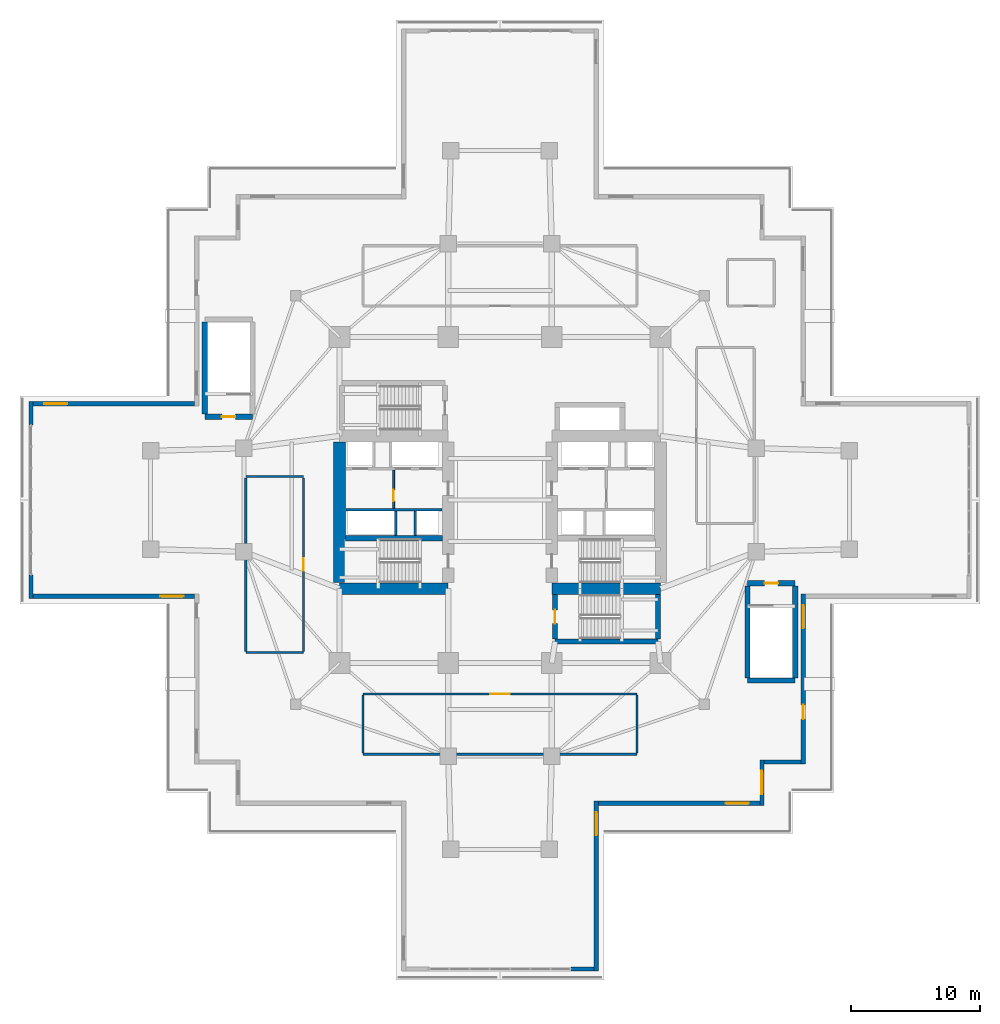
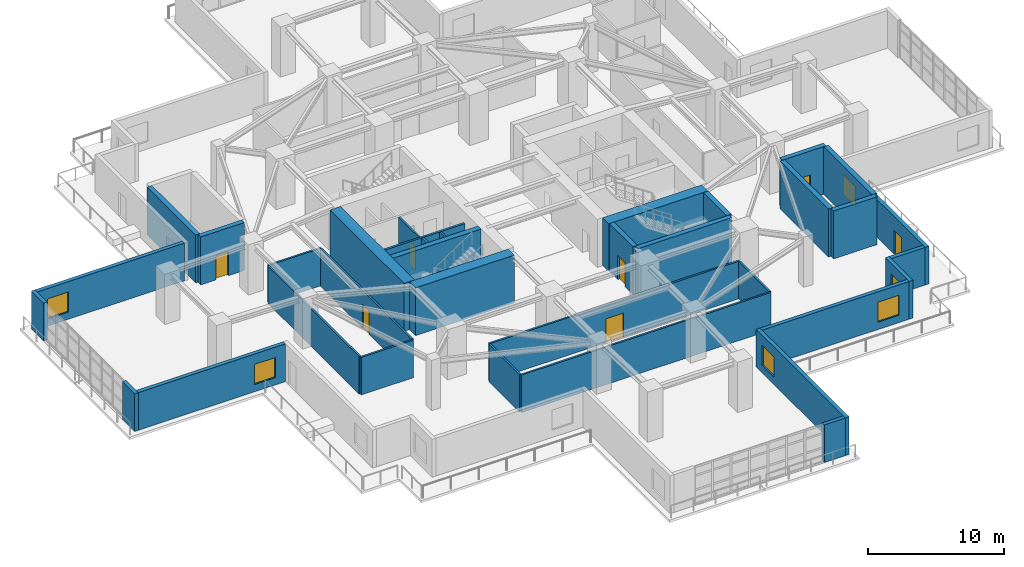
# One storey, part 15 of 24: 35 walls, 7 doors, 6 windows, 13 openings.
"""IFC4 building model written with IfcOpenShell, lengths in metres."""

from ifc_helpers import new_model, si_unit, direction, frame, frame_2d, origin, place, context, subcontext, project, spatial, rectangle, extrude, material, layer, layer_set, type_object, element, fill, save


model = new_model("IFC4")

# Units and contexts
model_context = context("Model", 3, precision=1e-05, world=origin(), true_north=direction((0.0, 1.0)))
body_context = subcontext(model_context, "Body", "Model", "MODEL_VIEW")
ifc_project = project(units=[si_unit("LENGTHUNIT", "METRE"), si_unit("AREAUNIT", "SQUARE_METRE"), si_unit("VOLUMEUNIT", "CUBIC_METRE"), si_unit("PLANEANGLEUNIT", "RADIAN"), si_unit("MASSUNIT", "GRAM", prefix="KILO")], contexts=[model_context])

# Site, building, storey
site_placement = place(None, origin())
site = spatial("IfcSite", under=ifc_project, at=site_placement, CompositionType="ELEMENT")
building_placement = place(site_placement, origin())
building = spatial("IfcBuilding", under=site, at=building_placement, Name="Qingluan Cross Belvedere", CompositionType="ELEMENT")
storey_placement = place(building_placement, frame((0.0, 0.0, 19.199951171875)))
storey = spatial("IfcBuildingStorey", under=building, at=storey_placement, Name="L05", CompositionType="ELEMENT", Elevation=19.199951171875)

# Walls
ifc_material_1 = material(Name="Concrete C50", Category="concrete")
ifc_layer_1 = layer(ifc_material_1, 0.449951171875, Name="CoreShearWall_450")
ifc_layer_set_1 = layer_set([ifc_layer_1], Name="Concrete C50")
wall_type_1 = type_object("IfcWallType", Name="CoreShearWall_450", PredefinedType="SHEAR", material=ifc_layer_set_1)
wall_1_placement = place(storey_placement, frame((-11.945068359375, -2.9599609375, 0.0), z_axis=(0.0, 0.0, 1.0), x_axis=(1.0, 0.0, 0.0)))
element("IfcWall", 1, at=wall_1_placement, inside=storey, type_object=wall_type_1, Name="Split core W shear wall L05-M", PredefinedType="SHEAR", context=body_context, shape_type="SweptSolid", body=[
    extrude(rectangle(XDim=7.489990234375, YDim=0.449951171875, at=frame_2d((3.7451171875, 0.0))), origin(), (0.0, 0.0, 1.0), 4.300048828125),
])
wall_2_placement = place(storey_placement, frame((4.260009765625, -10.93994140625, 0.0), z_axis=(0.0, 0.0, 1.0), x_axis=(1.0, 0.0, 0.0)))
element("IfcWall", 2, at=wall_2_placement, inside=storey, type_object=wall_type_1, Name="Stair ST4 structural wall S L05", PredefinedType="SHEAR", context=body_context, shape_type="SweptSolid", body=[
    extrude(rectangle(XDim=7.9599609375, YDim=0.39990234375, at=frame_2d((3.97998046875, 0.0))), origin(), (0.0, 0.0, 1.0), 4.300048828125),
])

# Wall, opening, door
wall_3_placement = place(storey_placement, frame((4.260009765625, -10.735107421875, 0.0), z_axis=(0.0, 0.0, 1.0), x_axis=(0.0, 1.0, 0.0)))
wall_3 = element("IfcWall", 3, at=wall_3_placement, inside=storey, type_object=wall_type_1, Name="Stair ST4 structural wall W L05", PredefinedType="SHEAR", context=body_context, shape_type="SweptSolid", body=[
    extrude(rectangle(XDim=3.43017578125, YDim=0.39990234375, at=frame_2d((1.715087890625, 0.0))), origin(), (0.0, 0.0, 1.0), 4.300048828125),
])
opening_1_placement = place(wall_3_placement, frame((1.18505859375, 0.0, 0.0)))
opening_1 = element("IfcOpeningElement", 4, at=opening_1_placement, cuts=wall_3, Name="Opening FD-B11", PredefinedType="OPENING", context=body_context, shape_type="SweptSolid", body=[
    extrude(rectangle(XDim=1.050048828125, YDim=2.14990234375, at=frame_2d((0.52490234375, 1.074951171875))), frame((0.0, 0.2099609375, 0.0), z_axis=(0.0, -1.0, 0.0), x_axis=(1.0, 0.0, 0.0)), (0.0, 0.0, 1.0), 0.419921875),
])
ifc_material_2 = material(Name="Steel Class B smoke-seal fire door", Category="steel")
door_type_1 = type_object("IfcDoorType", Name="StairLobbyFireDoor_FDB", OperationType="NOTDEFINED", PredefinedType="DOOR", material=ifc_material_2)
door_1_placement = place(opening_1_placement, origin())
door_1 = element("IfcDoor", 5, at=door_1_placement, inside=storey, type_object=door_type_1, Name="Smoke-proof stair ST4 fire door L05", OperationType="SINGLE_SWING_LEFT", OverallHeight=2.14990234375, OverallWidth=1.050048828125, PredefinedType="DOOR", context=body_context, shape_type="SweptSolid", body=[
    extrude(rectangle(XDim=1.050048828125, YDim=2.14990234375, at=frame_2d((0.52490234375, 1.074951171875))), frame((0.0, 0.02490234375, 0.0), z_axis=(0.0, -1.0, 0.0), x_axis=(1.0, 0.0, 0.0)), (0.0, 0.0, 1.0), 0.050048828125),
])
fill(opening_1, door_1)

# Wall
wall_4_placement = place(storey_placement, frame((12.219970703125, -10.735107421875, 0.0), z_axis=(0.0, 0.0, 1.0), x_axis=(0.0, 1.0, 0.0)))
element("IfcWall", 6, at=wall_4_placement, inside=storey, type_object=wall_type_1, Name="Stair ST4 structural wall E L05", PredefinedType="SHEAR", context=body_context, shape_type="SweptSolid", body=[
    extrude(rectangle(XDim=3.43017578125, YDim=0.39990234375, at=frame_2d((1.715087890625, 0.0))), origin(), (0.0, 0.0, 1.0), 4.300048828125),
])

# Wall, opening, door
wall_5_placement = place(storey_placement, frame((-22.820068359375, 6.429931640625, 0.0), z_axis=(0.0, 0.0, 1.0), x_axis=(1.0, 0.0, 0.0)))
wall_5 = element("IfcWall", 7, at=wall_5_placement, inside=storey, type_object=wall_type_1, Name="Stair ST5 structural wall S L05", PredefinedType="SHEAR", context=body_context, shape_type="SweptSolid", body=[
    extrude(rectangle(XDim=3.699951171875, YDim=0.39990234375, at=frame_2d((1.85009765625, 0.0))), origin(), (0.0, 0.0, 1.0), 4.300048828125),
])
opening_2_placement = place(wall_5_placement, frame((1.320068359375, 0.0, 0.0)))
opening_2 = element("IfcOpeningElement", 8, at=opening_2_placement, cuts=wall_5, Name="Opening FD-B11", PredefinedType="OPENING", context=body_context, shape_type="SweptSolid", body=[
    extrude(rectangle(XDim=1.050048828125, YDim=2.14990234375, at=frame_2d((0.52490234375, 1.074951171875))), frame((0.0, 0.2099609375, 0.0), z_axis=(0.0, -1.0, 0.0), x_axis=(1.0, 0.0, 0.0)), (0.0, 0.0, 1.0), 0.419921875),
])
door_2_placement = place(opening_2_placement, origin())
door_2 = element("IfcDoor", 9, at=door_2_placement, inside=storey, type_object=door_type_1, Name="Podium stair ST5 smoke-proof fire door L05", OperationType="SINGLE_SWING_RIGHT", OverallHeight=2.14990234375, OverallWidth=1.050048828125, PredefinedType="DOOR", context=body_context, shape_type="SweptSolid", body=[
    extrude(rectangle(XDim=1.050048828125, YDim=2.14990234375, at=frame_2d((0.52490234375, 1.074951171875))), frame((0.0, 0.02490234375, 0.0), z_axis=(0.0, -1.0, 0.0), x_axis=(1.0, 0.0, 0.0)), (0.0, 0.0, 1.0), 0.050048828125),
])
fill(opening_2, door_2)

# Wall
wall_6_placement = place(storey_placement, frame((-22.820068359375, 6.635009765625, 0.0), z_axis=(0.0, 0.0, 1.0), x_axis=(0.0, 1.0, 0.0)))
element("IfcWall", 10, at=wall_6_placement, inside=storey, type_object=wall_type_1, Name="Stair ST5 structural wall W L05", PredefinedType="SHEAR", context=body_context, shape_type="SweptSolid", body=[
    extrude(rectangle(XDim=7.110107421875, YDim=0.39990234375, at=frame_2d((3.55517578125, 0.0))), origin(), (0.0, 0.0, 1.0), 4.300048828125),
])

# Wall, opening, door
wall_7_placement = place(storey_placement, frame((19.1201171875, -6.429931640625, 0.0), z_axis=(0.0, 0.0, 1.0), x_axis=(1.0, 0.0, 0.0)))
wall_7 = element("IfcWall", 11, at=wall_7_placement, inside=storey, type_object=wall_type_1, Name="Stair ST6 structural wall N L05", PredefinedType="SHEAR", context=body_context, shape_type="SweptSolid", body=[
    extrude(rectangle(XDim=3.699951171875, YDim=0.39990234375, at=frame_2d((1.85009765625, 0.0))), origin(), (0.0, 0.0, 1.0), 4.300048828125),
])
opening_3_placement = place(wall_7_placement, frame((1.330078125, 0.0, 0.0)))
opening_3 = element("IfcOpeningElement", 12, at=opening_3_placement, cuts=wall_7, Name="Opening FD-B11", PredefinedType="OPENING", context=body_context, shape_type="SweptSolid", body=[
    extrude(rectangle(XDim=1.050048828125, YDim=2.14990234375, at=frame_2d((0.52490234375, 1.074951171875))), frame((0.0, 0.2099609375, 0.0), z_axis=(0.0, -1.0, 0.0), x_axis=(1.0, 0.0, 0.0)), (0.0, 0.0, 1.0), 0.419921875),
])
door_3_placement = place(opening_3_placement, origin())
door_3 = element("IfcDoor", 13, at=door_3_placement, inside=storey, type_object=door_type_1, Name="Podium stair ST6 smoke-proof fire door L05", OperationType="SINGLE_SWING_LEFT", OverallHeight=2.14990234375, OverallWidth=1.050048828125, PredefinedType="DOOR", context=body_context, shape_type="SweptSolid", body=[
    extrude(rectangle(XDim=1.050048828125, YDim=2.14990234375, at=frame_2d((0.52490234375, 1.074951171875))), frame((0.0, 0.02490234375, 0.0), z_axis=(0.0, -1.0, 0.0), x_axis=(1.0, 0.0, 0.0)), (0.0, 0.0, 1.0), 0.050048828125),
])
fill(opening_3, door_3)

# Walls
wall_8_placement = place(storey_placement, frame((19.1201171875, -13.949951171875, 0.0), z_axis=(0.0, 0.0, 1.0), x_axis=(1.0, 0.0, 0.0)))
element("IfcWall", 14, at=wall_8_placement, inside=storey, type_object=wall_type_1, Name="Stair ST6 structural wall S L05", PredefinedType="SHEAR", context=body_context, shape_type="SweptSolid", body=[
    extrude(rectangle(XDim=3.699951171875, YDim=0.39990234375, at=frame_2d((1.85009765625, 0.0))), origin(), (0.0, 0.0, 1.0), 4.300048828125),
])
for number, where, z_axis, x_axis, name in (
    (15, (19.1201171875, -13.7451171875, 0.0), (0.0, 0.0, 1.0), (0.0, 1.0, 0.0), "Stair ST6 structural wall W L05"),
    (16, (22.820068359375, -13.7451171875, 0.0), (0.0, 0.0, 1.0), (0.0, 1.0, 0.0), "Stair ST6 structural wall E L05"),
):
    element("IfcWall", number, at=place(storey_placement, frame(where, z_axis=z_axis, x_axis=x_axis)), inside=storey, type_object=wall_type_1, Name=name, PredefinedType="SHEAR", context=body_context, shape_type="SweptSolid", body=[
        extrude(rectangle(XDim=7.110107421875, YDim=0.39990234375, at=frame_2d((3.55517578125, 0.0))), origin(), (0.0, 0.0, 1.0), 4.300048828125),
    ])
ifc_material_3 = material(Name="Concrete C70", Category="concrete")
ifc_layer_2 = layer(ifc_material_3, 0.89990234375, Name="CoreShearWall_900")
ifc_layer_set_2 = layer_set([ifc_layer_2], Name="Concrete C70")
wall_type_2 = type_object("IfcWallType", Name="CoreShearWall_900", PredefinedType="SHEAR", material=ifc_layer_set_2)
wall_9_placement = place(storey_placement, frame((-12.39990234375, -6.85009765625, 0.0), z_axis=(0.0, 0.0, 1.0), x_axis=(1.0, 0.0, 0.0)))
element("IfcWall", 17, at=wall_9_placement, inside=storey, type_object=wall_type_2, Name="Split core W shear wall L05-S", PredefinedType="SHEAR", context=body_context, shape_type="SweptSolid", body=[
    extrude(rectangle(XDim=8.39990234375, YDim=0.89990234375, at=frame_2d((4.199951171875, 0.0))), origin(), (0.0, 0.0, 1.0), 4.300048828125),
])
wall_10_placement = place(storey_placement, frame((-12.39990234375, -6.39501953125, 0.0), z_axis=(0.0, 0.0, 1.0), x_axis=(0.0, 1.0, 0.0)))
element("IfcWall", 18, at=wall_10_placement, inside=storey, type_object=wall_type_2, Name="Split core W shear wall L05-W", PredefinedType="SHEAR", context=body_context, shape_type="SweptSolid", body=[
    extrude(rectangle(XDim=10.89013671875, YDim=0.89990234375, at=frame_2d((5.445068359375, 0.0))), origin(), (0.0, 0.0, 1.0), 4.300048828125),
])
wall_11_placement = place(storey_placement, frame((4.0, -6.85009765625, 0.0), z_axis=(0.0, 0.0, 1.0), x_axis=(1.0, 0.0, 0.0)))
element("IfcWall", 19, at=wall_11_placement, inside=storey, type_object=wall_type_2, Name="Split core E shear wall L05-S", PredefinedType="SHEAR", context=body_context, shape_type="SweptSolid", body=[
    extrude(rectangle(XDim=8.39990234375, YDim=0.89990234375, at=frame_2d((4.199951171875, 0.0))), origin(), (0.0, 0.0, 1.0), 4.300048828125),
])
ifc_material_4 = material(Name="Gypsum plasterboard on steel stud acoustic partition", Category="steel")
ifc_layer_3 = layer(ifc_material_4, 0.159912109375, Name="CorridorPartition_160")
ifc_layer_set_3 = layer_set([ifc_layer_3], Name="Gypsum plasterboard on steel stud acoustic partition")
wall_type_3 = type_object("IfcWallType", Name="CorridorPartition_160", PredefinedType="PARTITIONING", material=ifc_layer_set_3)
wall_12_placement = place(storey_placement, frame((-10.60009765625, -19.64990234375, 0.0), z_axis=(0.0, 0.0, 1.0), x_axis=(1.0, 0.0, 0.0)))
element("IfcWall", 20, at=wall_12_placement, inside=storey, type_object=wall_type_3, Name="Partition L05:pod_s:S", PredefinedType="PARTITIONING", context=body_context, shape_type="SweptSolid", body=[
    extrude(rectangle(XDim=21.2001953125, YDim=0.159912109375, at=frame_2d((10.60009765625, 0.0))), origin(), (0.0, 0.0, 1.0), 3.3701171875),
])

# Wall, opening, door
wall_13_placement = place(storey_placement, frame((-10.60009765625, -15.0, 0.0), z_axis=(0.0, 0.0, 1.0), x_axis=(1.0, 0.0, 0.0)))
wall_13 = element("IfcWall", 21, at=wall_13_placement, inside=storey, type_object=wall_type_3, Name="Partition L05:pod_s:N", PredefinedType="PARTITIONING", context=body_context, shape_type="SweptSolid", body=[
    extrude(rectangle(XDim=21.2001953125, YDim=0.159912109375, at=frame_2d((10.60009765625, 0.0))), origin(), (0.0, 0.0, 1.0), 3.3701171875),
])
opening_4_placement = place(wall_13_placement, frame((9.85009765625, 0.0, 0.0)))
opening_4 = element("IfcOpeningElement", 22, at=opening_4_placement, cuts=wall_13, Name="Opening FD-A15", PredefinedType="OPENING", context=body_context, shape_type="SweptSolid", body=[
    extrude(rectangle(XDim=1.5, YDim=2.14990234375, at=frame_2d((0.75, 1.074951171875))), frame((0.0, 0.08984375, 0.0), z_axis=(0.0, -1.0, 0.0), x_axis=(1.0, 0.0, 0.0)), (0.0, 0.0, 1.0), 0.179931640625),
])
ifc_material_5 = material(Name="Insulated steel Class A double fire door", Category="steel")
door_type_2 = type_object("IfcDoorType", Name="PlantDoubleFireDoor_FDA", OperationType="DOUBLE_DOOR_SINGLE_SWING", PredefinedType="DOOR", material=ifc_material_5)
door_4_placement = place(opening_4_placement, origin())
door_4 = element("IfcDoor", 23, at=door_4_placement, inside=storey, type_object=door_type_2, Name="Wellness spa treatment suite South L05 door", OperationType="DOUBLE_DOOR_SINGLE_SWING", OverallHeight=2.14990234375, OverallWidth=1.5, PredefinedType="DOOR", context=body_context, shape_type="SweptSolid", body=[
    extrude(rectangle(XDim=1.5, YDim=2.14990234375, at=frame_2d((0.75, 1.074951171875))), frame((0.0, 0.02490234375, 0.0), z_axis=(0.0, -1.0, 0.0), x_axis=(1.0, 0.0, 0.0)), (0.0, 0.0, 1.0), 0.050048828125),
])
fill(opening_4, door_4)

# Walls
for number, where, z_axis, x_axis, name in (
    (24, (-10.60009765625, -19.56494140625, 0.0), (0.0, 0.0, 1.0), (0.0, 1.0, 0.0), "Partition L05:pod_s:W"),
    (25, (10.60009765625, -19.56494140625, 0.0), (0.0, 0.0, 1.0), (0.0, 1.0, 0.0), "Partition L05:pod_s:E"),
):
    element("IfcWall", number, at=place(storey_placement, frame(where, z_axis=z_axis, x_axis=x_axis)), inside=storey, type_object=wall_type_3, Name=name, PredefinedType="PARTITIONING", context=body_context, shape_type="SweptSolid", body=[
        extrude(rectangle(XDim=4.47998046875, YDim=0.159912109375, at=frame_2d((2.239990234375, 0.0))), origin(), (0.0, 0.0, 1.0), 3.3701171875),
    ])
for number, where, z_axis, x_axis, name in (
    (26, (-19.64990234375, -11.800048828125, 0.0), (0.0, 0.0, 1.0), (1.0, 0.0, 0.0), "Partition L05:pod_w:S"),
    (27, (-19.64990234375, 1.800048828125, 0.0), (0.0, 0.0, 1.0), (1.0, 0.0, 0.0), "Partition L05:pod_w:N"),
):
    element("IfcWall", number, at=place(storey_placement, frame(where, z_axis=z_axis, x_axis=x_axis)), inside=storey, type_object=wall_type_3, Name=name, PredefinedType="PARTITIONING", context=body_context, shape_type="SweptSolid", body=[
        extrude(rectangle(XDim=4.449951171875, YDim=0.159912109375, at=frame_2d((2.22509765625, 0.0))), origin(), (0.0, 0.0, 1.0), 3.3701171875),
    ])
wall_14_placement = place(storey_placement, frame((-19.64990234375, -11.715087890625, 0.0), z_axis=(0.0, 0.0, 1.0), x_axis=(0.0, 1.0, 0.0)))
element("IfcWall", 28, at=wall_14_placement, inside=storey, type_object=wall_type_3, Name="Partition L05:pod_w:W", PredefinedType="PARTITIONING", context=body_context, shape_type="SweptSolid", body=[
    extrude(rectangle(XDim=13.43017578125, YDim=0.159912109375, at=frame_2d((6.715087890625, 0.0))), origin(), (0.0, 0.0, 1.0), 3.3701171875),
])

# Wall, opening, door
wall_15_placement = place(storey_placement, frame((-15.199951171875, -11.715087890625, 0.0), z_axis=(0.0, 0.0, 1.0), x_axis=(0.0, 1.0, 0.0)))
wall_15 = element("IfcWall", 29, at=wall_15_placement, inside=storey, type_object=wall_type_3, Name="Partition L05:pod_w:E", PredefinedType="PARTITIONING", context=body_context, shape_type="SweptSolid", body=[
    extrude(rectangle(XDim=13.43017578125, YDim=0.159912109375, at=frame_2d((6.715087890625, 0.0))), origin(), (0.0, 0.0, 1.0), 3.3701171875),
])
opening_5_placement = place(wall_15_placement, frame((6.235107421875, 0.0, 0.0)))
opening_5 = element("IfcOpeningElement", 30, at=opening_5_placement, cuts=wall_15, Name="Opening GD-10", PredefinedType="OPENING", context=body_context, shape_type="SweptSolid", body=[
    extrude(rectangle(XDim=0.9599609375, YDim=2.14990234375, at=frame_2d((0.47998046875, 1.074951171875))), frame((0.0, 0.08984375, 0.0), z_axis=(0.0, -1.0, 0.0), x_axis=(1.0, 0.0, 0.0)), (0.0, 0.0, 1.0), 0.179931640625),
])
ifc_material_6 = material(Name="Timber oak fire-rated acoustic guestroom door", Category="wood")
door_type_3 = type_object("IfcDoorType", Name="GuestEntryDoor_FD60", OperationType="NOTDEFINED", PredefinedType="DOOR", material=ifc_material_6)
door_5_placement = place(opening_5_placement, origin())
door_5 = element("IfcDoor", 31, at=door_5_placement, inside=storey, type_object=door_type_3, Name="Spa relaxation lounge West L05 door", OperationType="SINGLE_SWING_LEFT", OverallHeight=2.14990234375, OverallWidth=0.9599609375, PredefinedType="DOOR", context=body_context, shape_type="SweptSolid", body=[
    extrude(rectangle(XDim=0.9599609375, YDim=2.14990234375, at=frame_2d((0.47998046875, 1.074951171875))), frame((0.0, 0.02490234375, 0.0), z_axis=(0.0, -1.0, 0.0), x_axis=(1.0, 0.0, 0.0)), (0.0, 0.0, 1.0), 0.050048828125),
])
fill(opening_5, door_5)

# Wall, opening, window
ifc_material_7 = material(Name="Precast concrete C45", Category="concrete")
ifc_layer_4 = layer(ifc_material_7, 0.320068359375, Name="PrecastPodiumWall_320")
ifc_layer_set_4 = layer_set([ifc_layer_4], Name="Precast concrete C45")
wall_type_4 = type_object("IfcWallType", Name="PrecastPodiumWall_320", PredefinedType="STANDARD", material=ifc_layer_set_4)
wall_16_placement = place(storey_placement, frame((20.080078125, -23.43994140625, 0.0), z_axis=(0.0, 0.0, 1.0), x_axis=(-1.0, 0.0, 0.0)))
wall_16 = element("IfcWall", 32, at=wall_16_placement, inside=storey, type_object=wall_type_4, Name="Podium precast facade wall L05-S1", PredefinedType="STANDARD", context=body_context, shape_type="SweptSolid", body=[
    extrude(rectangle(XDim=12.47998046875, YDim=0.320068359375, at=frame_2d((6.239990234375, 0.0))), origin(), (0.0, 0.0, 1.0), 3.380126953125),
])
opening_6_placement = place(wall_16_placement, frame((0.85009765625, 0.0, 0.64990234375)))
opening_6 = element("IfcOpeningElement", 33, at=opening_6_placement, cuts=wall_16, Name="Opening W-06", PredefinedType="OPENING", context=body_context, shape_type="SweptSolid", body=[
    extrude(rectangle(XDim=1.800048828125, YDim=1.800048828125, at=frame_2d((0.89990234375, 0.89990234375))), frame((0.0, 0.169921875, 0.0), z_axis=(0.0, -1.0, 0.0), x_axis=(1.0, 0.0, 0.0)), (0.0, 0.0, 1.0), 0.340087890625),
])
ifc_material_8 = material(Name="Thermally broken triple Low-E glass in aluminium frame", Category="aluminium")
window_type = type_object("IfcWindowType", Name="PodiumGalleryWin_1800x1800", PartitioningType="SINGLE_PANEL", PredefinedType="WINDOW", material=ifc_material_8)
window_1_placement = place(opening_6_placement, origin())
window_1 = element("IfcWindow", 34, at=window_1_placement, inside=storey, type_object=window_type, Name="Podium gallery window L05-S1", OverallHeight=1.800048828125, OverallWidth=1.800048828125, PartitioningType="SINGLE_PANEL", PredefinedType="WINDOW", context=body_context, shape_type="SweptSolid", body=[
    extrude(rectangle(XDim=1.800048828125, YDim=1.800048828125, at=frame_2d((0.89990234375, 0.89990234375))), frame((0.0, 0.030029296875, 0.0), z_axis=(0.0, -1.0, 0.0), x_axis=(1.0, 0.0, 0.0)), (0.0, 0.0, 1.0), 0.06005859375),
])
fill(opening_6, window_1)

wall_17_placement = place(storey_placement, frame((7.43994140625, -23.280029296875, 0.0), z_axis=(0.0, 0.0, 1.0), x_axis=(0.0, -1.0, 0.0)))
wall_17 = element("IfcWall", 35, at=wall_17_placement, inside=storey, type_object=wall_type_4, Name="Podium precast facade wall L05-S2", PredefinedType="STANDARD", context=body_context, shape_type="SweptSolid", body=[
    extrude(rectangle(XDim=13.119873046875, YDim=0.320068359375, at=frame_2d((6.56005859375, 0.0))), origin(), (0.0, 0.0, 1.0), 3.380126953125),
])
opening_7_placement = place(wall_17_placement, frame((0.85009765625, 0.0, 0.64990234375)))
opening_7 = element("IfcOpeningElement", 36, at=opening_7_placement, cuts=wall_17, Name="Opening W-06", PredefinedType="OPENING", context=body_context, shape_type="SweptSolid", body=[
    extrude(rectangle(XDim=1.800048828125, YDim=1.800048828125, at=frame_2d((0.89990234375, 0.89990234375))), frame((0.0, 0.169921875, 0.0), z_axis=(0.0, -1.0, 0.0), x_axis=(1.0, 0.0, 0.0)), (0.0, 0.0, 1.0), 0.340087890625),
])
window_2_placement = place(opening_7_placement, origin())
window_2 = element("IfcWindow", 37, at=window_2_placement, inside=storey, type_object=window_type, Name="Podium gallery window L05-S2", OverallHeight=1.800048828125, OverallWidth=1.800048828125, PartitioningType="SINGLE_PANEL", PredefinedType="WINDOW", context=body_context, shape_type="SweptSolid", body=[
    extrude(rectangle(XDim=1.800048828125, YDim=1.800048828125, at=frame_2d((0.89990234375, 0.89990234375))), frame((0.0, 0.030029296875, 0.0), z_axis=(0.0, -1.0, 0.0), x_axis=(1.0, 0.0, 0.0)), (0.0, 0.0, 1.0), 0.06005859375),
])
fill(opening_7, window_2)

# Wall
wall_18_placement = place(storey_placement, frame((7.280029296875, -36.239990234375, 0.0), z_axis=(0.0, 0.0, 1.0), x_axis=(-1.0, 0.0, 0.0)))
element("IfcWall", 38, at=wall_18_placement, inside=storey, type_object=wall_type_4, Name="Podium portal pier L05-P1JA", PredefinedType="STANDARD", context=body_context, shape_type="SweptSolid", body=[
    extrude(rectangle(XDim=1.800048828125, YDim=0.320068359375, at=frame_2d((0.89990234375, 0.0))), origin(), (0.0, 0.0, 1.0), 3.380126953125),
])

# Wall, opening, window
wall_19_placement = place(storey_placement, frame((-23.60009765625, -7.43994140625, 0.0), z_axis=(0.0, 0.0, 1.0), x_axis=(-1.0, 0.0, 0.0)))
wall_19 = element("IfcWall", 39, at=wall_19_placement, inside=storey, type_object=wall_type_4, Name="Podium precast facade wall L05-S10", PredefinedType="STANDARD", context=body_context, shape_type="SweptSolid", body=[
    extrude(rectangle(XDim=12.47998046875, YDim=0.320068359375, at=frame_2d((6.239990234375, 0.0))), origin(), (0.0, 0.0, 1.0), 3.380126953125),
])
opening_8_placement = place(wall_19_placement, frame((0.85009765625, 0.0, 0.64990234375)))
opening_8 = element("IfcOpeningElement", 40, at=opening_8_placement, cuts=wall_19, Name="Opening W-06", PredefinedType="OPENING", context=body_context, shape_type="SweptSolid", body=[
    extrude(rectangle(XDim=1.800048828125, YDim=1.800048828125, at=frame_2d((0.89990234375, 0.89990234375))), frame((0.0, 0.169921875, 0.0), z_axis=(0.0, -1.0, 0.0), x_axis=(1.0, 0.0, 0.0)), (0.0, 0.0, 1.0), 0.340087890625),
])
window_3_placement = place(opening_8_placement, origin())
window_3 = element("IfcWindow", 41, at=window_3_placement, inside=storey, type_object=window_type, Name="Podium gallery window L05-S10", OverallHeight=1.800048828125, OverallWidth=1.800048828125, PartitioningType="SINGLE_PANEL", PredefinedType="WINDOW", context=body_context, shape_type="SweptSolid", body=[
    extrude(rectangle(XDim=1.800048828125, YDim=1.800048828125, at=frame_2d((0.89990234375, 0.89990234375))), frame((0.0, 0.030029296875, 0.0), z_axis=(0.0, -1.0, 0.0), x_axis=(1.0, 0.0, 0.0)), (0.0, 0.0, 1.0), 0.06005859375),
])
fill(opening_8, window_3)

# Walls
for number, where, z_axis, x_axis, name in (
    (42, (-36.239990234375, -7.60009765625, 0.0), (0.0, 0.0, 1.0), (0.0, 1.0, 0.0), "Podium portal pier L05-P2JA"),
    (43, (-36.239990234375, 5.800048828125, 0.0), (0.0, 0.0, 1.0), (0.0, 1.0, 0.0), "Podium portal pier L05-P2JB"),
):
    element("IfcWall", number, at=place(storey_placement, frame(where, z_axis=z_axis, x_axis=x_axis)), inside=storey, type_object=wall_type_4, Name=name, PredefinedType="STANDARD", context=body_context, shape_type="SweptSolid", body=[
        extrude(rectangle(XDim=1.800048828125, YDim=0.320068359375, at=frame_2d((0.89990234375, 0.0))), origin(), (0.0, 0.0, 1.0), 3.380126953125),
    ])

# Wall, opening, window
wall_20_placement = place(storey_placement, frame((-36.080078125, 7.43994140625, 0.0), z_axis=(0.0, 0.0, 1.0), x_axis=(1.0, 0.0, 0.0)))
wall_20 = element("IfcWall", 44, at=wall_20_placement, inside=storey, type_object=wall_type_4, Name="Podium precast facade wall L05-S13", PredefinedType="STANDARD", context=body_context, shape_type="SweptSolid", body=[
    extrude(rectangle(XDim=12.47998046875, YDim=0.320068359375, at=frame_2d((6.239990234375, 0.0))), origin(), (0.0, 0.0, 1.0), 3.380126953125),
])
opening_9_placement = place(wall_20_placement, frame((0.85009765625, 0.0, 0.64990234375)))
opening_9 = element("IfcOpeningElement", 45, at=opening_9_placement, cuts=wall_20, Name="Opening W-06", PredefinedType="OPENING", context=body_context, shape_type="SweptSolid", body=[
    extrude(rectangle(XDim=1.800048828125, YDim=1.800048828125, at=frame_2d((0.89990234375, 0.89990234375))), frame((0.0, 0.169921875, 0.0), z_axis=(0.0, -1.0, 0.0), x_axis=(1.0, 0.0, 0.0)), (0.0, 0.0, 1.0), 0.340087890625),
])
window_4_placement = place(opening_9_placement, origin())
window_4 = element("IfcWindow", 46, at=window_4_placement, inside=storey, type_object=window_type, Name="Podium gallery window L05-S13", OverallHeight=1.800048828125, OverallWidth=1.800048828125, PartitioningType="SINGLE_PANEL", PredefinedType="WINDOW", context=body_context, shape_type="SweptSolid", body=[
    extrude(rectangle(XDim=1.800048828125, YDim=1.800048828125, at=frame_2d((0.89990234375, 0.89990234375))), frame((0.0, 0.030029296875, 0.0), z_axis=(0.0, -1.0, 0.0), x_axis=(1.0, 0.0, 0.0)), (0.0, 0.0, 1.0), 0.06005859375),
])
fill(opening_9, window_4)

# Wall, openings, window, door
wall_21_placement = place(storey_placement, frame((23.43994140625, -7.280029296875, 0.0), z_axis=(0.0, 0.0, 1.0), x_axis=(0.0, -1.0, 0.0)))
wall_21 = element("IfcWall", 47, at=wall_21_placement, inside=storey, type_object=wall_type_4, Name="Podium precast facade wall L05-S30", PredefinedType="STANDARD", context=body_context, shape_type="SweptSolid", body=[
    extrude(rectangle(XDim=13.119873046875, YDim=0.320068359375, at=frame_2d((6.56005859375, 0.0))), origin(), (0.0, 0.0, 1.0), 3.380126953125),
])
opening_10_placement = place(wall_21_placement, frame((0.85009765625, 0.0, 0.64990234375)))
opening_10 = element("IfcOpeningElement", 48, at=opening_10_placement, cuts=wall_21, Name="Opening W-06", PredefinedType="OPENING", context=body_context, shape_type="SweptSolid", body=[
    extrude(rectangle(XDim=1.800048828125, YDim=1.800048828125, at=frame_2d((0.89990234375, 0.89990234375))), frame((0.0, 0.169921875, 0.0), z_axis=(0.0, -1.0, 0.0), x_axis=(1.0, 0.0, 0.0)), (0.0, 0.0, 1.0), 0.340087890625),
])
opening_11_placement = place(wall_21_placement, frame((8.550048828125, 0.0, 0.0)))
opening_11 = element("IfcOpeningElement", 49, at=opening_11_placement, cuts=wall_21, Name="Opening TD-11", PredefinedType="OPENING", context=body_context, shape_type="SweptSolid", body=[
    extrude(rectangle(XDim=1.10009765625, YDim=2.14990234375, at=frame_2d((0.550048828125, 1.074951171875))), frame((0.0, 0.169921875, 0.0), z_axis=(0.0, -1.0, 0.0), x_axis=(1.0, 0.0, 0.0)), (0.0, 0.0, 1.0), 0.340087890625),
])
window_5_placement = place(opening_10_placement, origin())
window_5 = element("IfcWindow", 50, at=window_5_placement, inside=storey, type_object=window_type, Name="Podium gallery window L05-S30", OverallHeight=1.800048828125, OverallWidth=1.800048828125, PartitioningType="SINGLE_PANEL", PredefinedType="WINDOW", context=body_context, shape_type="SweptSolid", body=[
    extrude(rectangle(XDim=1.800048828125, YDim=1.800048828125, at=frame_2d((0.89990234375, 0.89990234375))), frame((0.0, 0.030029296875, 0.0), z_axis=(0.0, -1.0, 0.0), x_axis=(1.0, 0.0, 0.0)), (0.0, 0.0, 1.0), 0.06005859375),
])
fill(opening_10, window_5)
ifc_material_9 = material(Name="Thermally broken aluminium and Low-E glass", Category="aluminium")
door_type_4 = type_object("IfcDoorType", Name="TerraceGlazedDoor_1100", OperationType="NOTDEFINED", PredefinedType="DOOR", material=ifc_material_9)
door_6_placement = place(opening_11_placement, origin())
door_6 = element("IfcDoor", 51, at=door_6_placement, inside=storey, type_object=door_type_4, Name="Cascade terrace door L05-4", OperationType="SINGLE_SWING_LEFT", OverallHeight=2.14990234375, OverallWidth=1.10009765625, PredefinedType="DOOR", context=body_context, shape_type="SweptSolid", body=[
    extrude(rectangle(XDim=1.10009765625, YDim=2.14990234375, at=frame_2d((0.550048828125, 1.074951171875))), frame((0.0, 0.02490234375, 0.0), z_axis=(0.0, -1.0, 0.0), x_axis=(1.0, 0.0, 0.0)), (0.0, 0.0, 1.0), 0.050048828125),
])
fill(opening_11, door_6)

# Wall
wall_22_placement = place(storey_placement, frame((23.280029296875, -20.239990234375, 0.0), z_axis=(0.0, 0.0, 1.0), x_axis=(-1.0, 0.0, 0.0)))
element("IfcWall", 52, at=wall_22_placement, inside=storey, type_object=wall_type_4, Name="Podium precast facade wall L05-S31", PredefinedType="STANDARD", context=body_context, shape_type="SweptSolid", body=[
    extrude(rectangle(XDim=2.880126953125, YDim=0.320068359375, at=frame_2d((1.43994140625, 0.0))), origin(), (0.0, 0.0, 1.0), 3.380126953125),
])

# Wall, opening, window
wall_23_placement = place(storey_placement, frame((20.239990234375, -20.080078125, 0.0), z_axis=(0.0, 0.0, 1.0), x_axis=(0.0, -1.0, 0.0)))
wall_23 = element("IfcWall", 53, at=wall_23_placement, inside=storey, type_object=wall_type_4, Name="Podium precast facade wall L05-S32", PredefinedType="STANDARD", context=body_context, shape_type="SweptSolid", body=[
    extrude(rectangle(XDim=3.52001953125, YDim=0.320068359375, at=frame_2d((1.760009765625, 0.0))), origin(), (0.0, 0.0, 1.0), 3.380126953125),
])
opening_12_placement = place(wall_23_placement, frame((0.85009765625, 0.0, 0.64990234375)))
opening_12 = element("IfcOpeningElement", 54, at=opening_12_placement, cuts=wall_23, Name="Opening W-06", PredefinedType="OPENING", context=body_context, shape_type="SweptSolid", body=[
    extrude(rectangle(XDim=1.800048828125, YDim=1.800048828125, at=frame_2d((0.89990234375, 0.89990234375))), frame((0.0, 0.169921875, 0.0), z_axis=(0.0, -1.0, 0.0), x_axis=(1.0, 0.0, 0.0)), (0.0, 0.0, 1.0), 0.340087890625),
])
window_6_placement = place(opening_12_placement, origin())
window_6 = element("IfcWindow", 55, at=window_6_placement, inside=storey, type_object=window_type, Name="Podium gallery window L05-S32", OverallHeight=1.800048828125, OverallWidth=1.800048828125, PartitioningType="SINGLE_PANEL", PredefinedType="WINDOW", context=body_context, shape_type="SweptSolid", body=[
    extrude(rectangle(XDim=1.800048828125, YDim=1.800048828125, at=frame_2d((0.89990234375, 0.89990234375))), frame((0.0, 0.030029296875, 0.0), z_axis=(0.0, -1.0, 0.0), x_axis=(1.0, 0.0, 0.0)), (0.0, 0.0, 1.0), 0.06005859375),
])
fill(opening_12, window_6)

# Walls
ifc_material_10 = material(Name="Concrete C40", Category="concrete")
ifc_layer_5 = layer(ifc_material_10, 0.219970703125, Name="ShaftEnclosureWall_250")
ifc_layer_set_5 = layer_set([ifc_layer_5], Name="Concrete C40")
wall_type_5 = type_object("IfcWallType", Name="ShaftEnclosureWall_250", PredefinedType="SOLIDWALL", material=ifc_layer_set_5)
wall_24_placement = place(storey_placement, frame((-11.89990234375, -0.75, 0.0), z_axis=(0.0, 0.0, 1.0), x_axis=(1.0, 0.0, 0.0)))
element("IfcWall", 56, at=wall_24_placement, inside=storey, type_object=wall_type_5, Name="Core-W mid hoistway wall L05", PredefinedType="SOLIDWALL", context=body_context, shape_type="SweptSolid", body=[
    extrude(rectangle(XDim=7.419921875, YDim=0.179931640625, at=frame_2d((3.7099609375, 0.0))), origin(), (0.0, 0.0, 1.0), 3.3701171875),
])
for number, where, z_axis, x_axis, name in (
    (57, (-8.06005859375, -2.72998046875, 0.0), (0.0, 0.0, 1.0), (0.0, 1.0, 0.0), "Hoistway enclosure divider LP6E L05"),
    (58, (-6.5400390625, -2.72998046875, 0.0), (0.0, 0.0, 1.0), (0.0, 1.0, 0.0), "Hoistway enclosure divider LP8W L05"),
):
    element("IfcWall", number, at=place(storey_placement, frame(where, z_axis=z_axis, x_axis=x_axis)), inside=storey, type_object=wall_type_5, Name=name, PredefinedType="SOLIDWALL", context=body_context, shape_type="SweptSolid", body=[
        extrude(rectangle(XDim=1.889892578125, YDim=0.179931640625, at=frame_2d((0.94482421875, 0.0))), origin(), (0.0, 0.0, 1.0), 3.3701171875),
    ])

# Wall, opening, door
wall_25_placement = place(storey_placement, frame((-8.219970703125, -0.64990234375, 0.0), z_axis=(0.0, 0.0, 1.0), x_axis=(0.0, 1.0, 0.0)))
wall_25 = element("IfcWall", 59, at=wall_25_placement, inside=storey, type_object=wall_type_5, Name="Core-W service corridor wall L05", PredefinedType="SOLIDWALL", context=body_context, shape_type="SweptSolid", body=[
    extrude(rectangle(XDim=2.9599609375, YDim=0.139892578125, at=frame_2d((1.47998046875, 0.0))), origin(), (0.0, 0.0, 1.0), 3.3701171875),
])
opening_13_placement = place(wall_25_placement, frame((0.550048828125, 0.0, 0.0)))
opening_13 = element("IfcOpeningElement", 60, at=opening_13_placement, cuts=wall_25, Name="Opening FD-B10", PredefinedType="OPENING", context=body_context, shape_type="SweptSolid", body=[
    extrude(rectangle(XDim=0.8798828125, YDim=2.10009765625, at=frame_2d((0.43994140625, 1.050048828125))), frame((0.0, 0.079833984375, 0.0), z_axis=(0.0, -1.0, 0.0), x_axis=(1.0, 0.0, 0.0)), (0.0, 0.0, 1.0), 0.159912109375),
])
ifc_material_11 = material(Name="Steel Class B service fire door", Category="steel")
door_type_5 = type_object("IfcDoorType", Name="RiserServiceFireDoor_FDB", OperationType="NOTDEFINED", PredefinedType="DOOR", material=ifc_material_11)
door_7_placement = place(opening_13_placement, origin())
door_7 = element("IfcDoor", 61, at=door_7_placement, inside=storey, type_object=door_type_5, Name="Core-W service room door L05", OperationType="SINGLE_SWING_RIGHT", OverallHeight=2.10009765625, OverallWidth=0.8798828125, PredefinedType="DOOR", context=body_context, shape_type="SweptSolid", body=[
    extrude(rectangle(XDim=0.8798828125, YDim=2.10009765625, at=frame_2d((0.43994140625, 1.050048828125))), frame((0.0, 0.02490234375, 0.0), z_axis=(0.0, -1.0, 0.0), x_axis=(1.0, 0.0, 0.0)), (0.0, 0.0, 1.0), 0.050048828125),
])
fill(opening_13, door_7)

save(model, "model.ifc")
